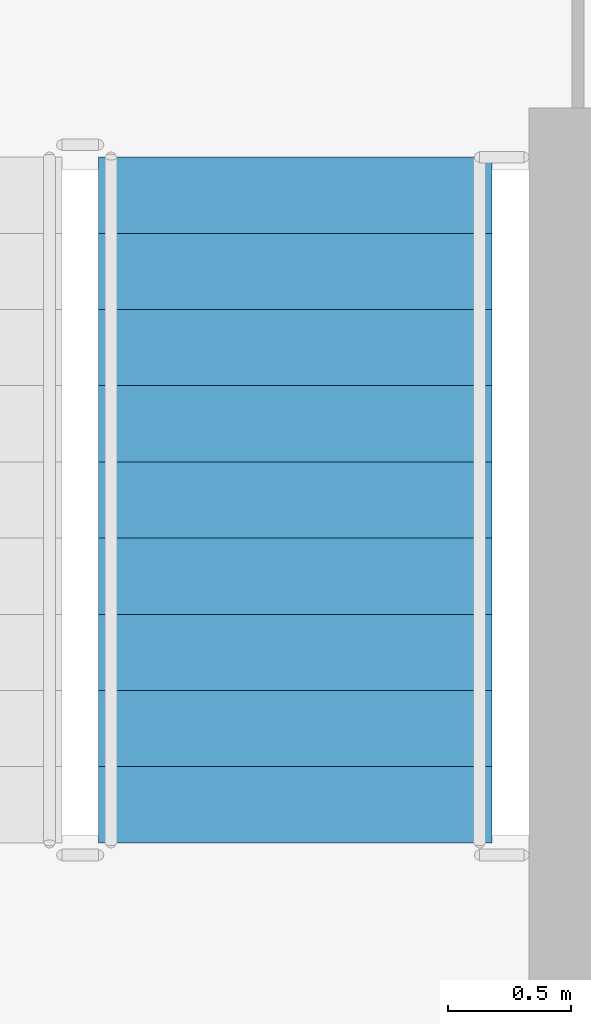
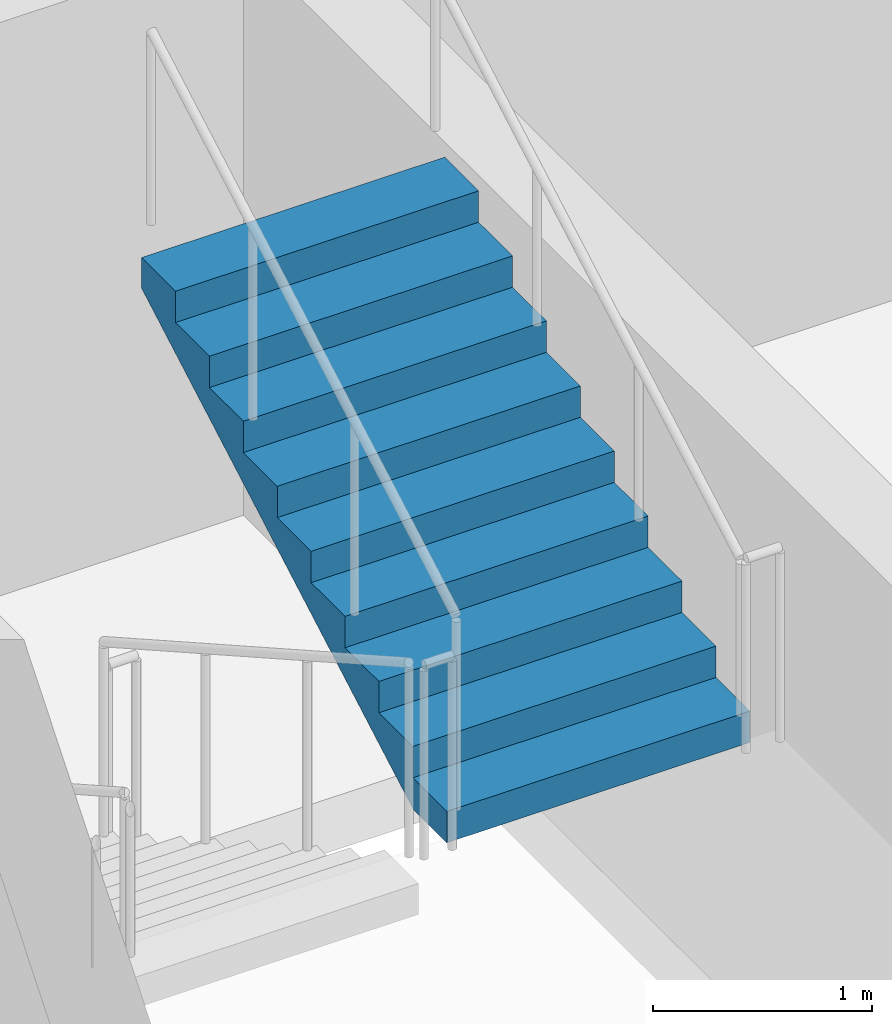
# One storey, part 16 of 22: 1 stair flight, 1 element without a shape of its own.
"""IFC4 building model written with IfcOpenShell, lengths in metres."""

from ifc_helpers import new_model, si_unit, direction, frame, origin, place, context, subcontext, project, spatial, polyline, outline, extrude, material, type_object, element, aggregate, save


model = new_model("IFC4")

# Units and contexts
model_context = context("Model", 3, precision=1e-05, world=origin(), true_north=direction((0.0, 1.0)))
body_context = subcontext(model_context, "Body", "Model", "MODEL_VIEW")
ifc_project = project(units=[si_unit("LENGTHUNIT", "METRE"), si_unit("AREAUNIT", "SQUARE_METRE"), si_unit("VOLUMEUNIT", "CUBIC_METRE"), si_unit("PLANEANGLEUNIT", "RADIAN"), si_unit("MASSUNIT", "GRAM", prefix="KILO")], contexts=[model_context])

# Site, building, storey
site_placement = place(None, origin())
site = spatial("IfcSite", under=ifc_project, at=site_placement, CompositionType="ELEMENT")
building_placement = place(site_placement, origin())
building = spatial("IfcBuilding", under=site, at=building_placement, Name="Madar Terraces", CompositionType="ELEMENT")
storey_placement = place(building_placement, frame((0.0, 0.0, 282.60009765625)))
storey = spatial("IfcBuildingStorey", under=building, at=storey_placement, Name="L74", CompositionType="ELEMENT", Elevation=282.60009765625)

# Stair, stair flight
ifc_material_1 = material(Name="Concrete C50/60", Category="concrete")
stair_type = type_object("IfcStairType", Name="Stair ST2 protected exit", PredefinedType="HALF_TURN_STAIR", material=ifc_material_1)
stair_placement = place(storey_placement, origin())
stair = element("IfcStair", 1, at=stair_placement, inside=storey, type_object=stair_type, Name="L74 Protected Exit Stair ST2", PredefinedType="HALF_TURN_STAIR")
ifc_material_2 = material(Name="Concrete C50/60", Category="concrete")
stair_flight_type = type_object("IfcStairFlightType", Name="Stair flight ST2-F4, 1600 wide, 10 risers", PredefinedType="STRAIGHT", material=ifc_material_2)
stair_flight_placement = place(storey_placement, frame((42.199951171875, 32.409912109375, 1.75), z_axis=(0.0, 0.0, 1.0), x_axis=(0.0, 1.0, 0.0)))
stair_flight = element("IfcStairFlight", 2, at=stair_flight_placement, type_object=stair_flight_type, Name="ST2 flight 2", NumberOfRisers=10, NumberOfTreads=9, PredefinedType="STRAIGHT", RiserHeight=0.175, TreadLength=0.31, context=body_context, shape_type="SweptSolid", body=[
    extrude(outline(polyline([(0.0, 0.0), (0.0, 0.175048828125), (0.31005859375, 0.175048828125), (0.31005859375, 0.35009765625), (0.6201171875, 0.35009765625), (0.6201171875, 0.52490234375), (0.929931640625, 0.52490234375), (0.929931640625, 0.699951171875), (1.239990234375, 0.699951171875), (1.239990234375, 0.875), (1.550048828125, 0.875), (1.550048828125, 1.050048828125), (1.860107421875, 1.050048828125), (1.860107421875, 1.22509765625), (2.169921875, 1.22509765625), (2.169921875, 1.39990234375), (2.47998046875, 1.39990234375), (2.47998046875, 1.574951171875), (2.7900390625, 1.574951171875), (2.7900390625, 1.75), (2.7900390625, 1.40283203125), (0.304931640625, 0.0), (0.0, 0.0)])), frame((0.0, 0.800048828125, 0.0), z_axis=(0.0, -1.0, 0.0), x_axis=(1.0, 0.0, 0.0)), (0.0, 0.0, 1.0), 1.60009765625),
])
aggregate(stair, [stair_flight])

save(model, "model.ifc")
